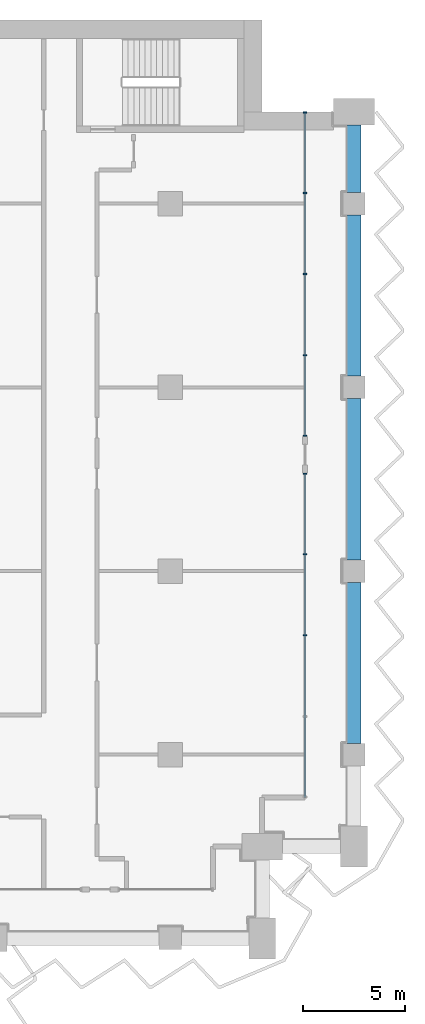
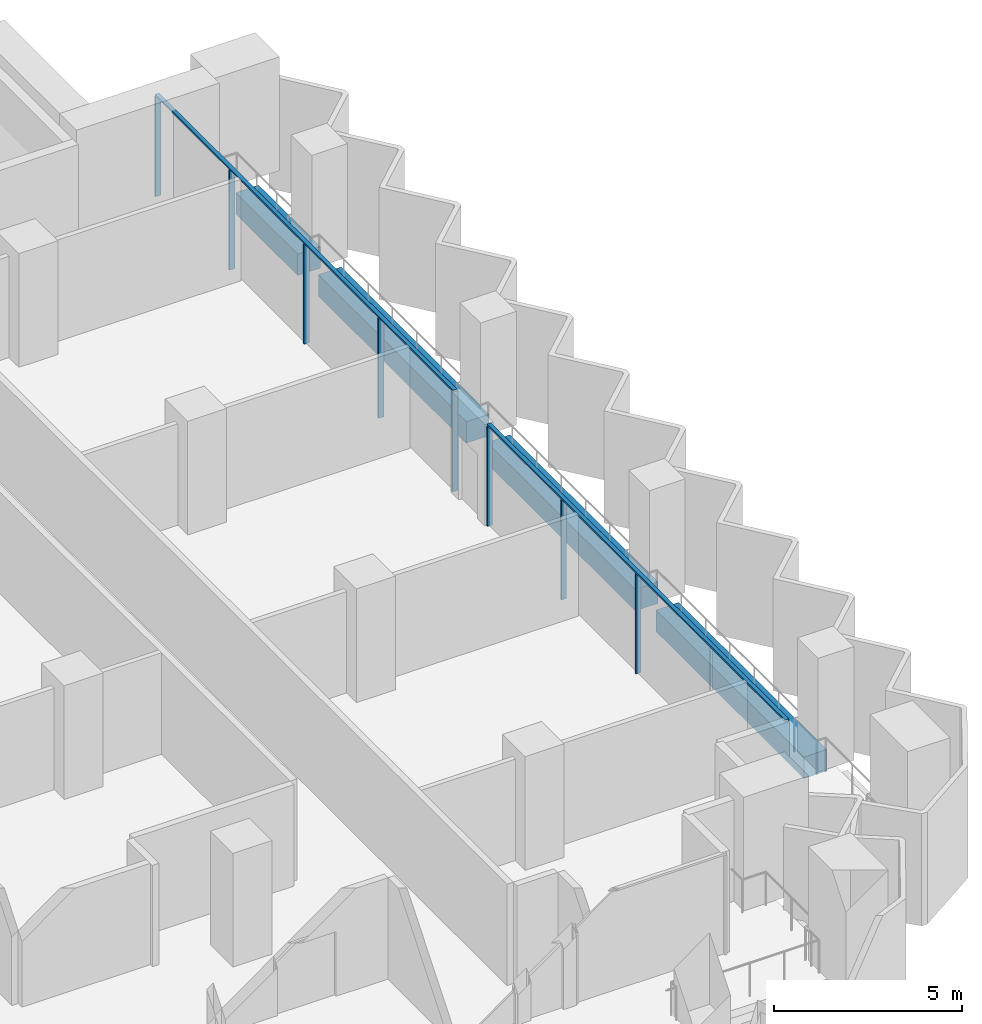
# One storey, part 5 of 22: 10 members, 4 beams, 2 elements without a shape of their own.
"""IFC4 building model written with IfcOpenShell, lengths in metres."""

from ifc_helpers import new_model, si_unit, direction, frame, origin, origin_2d, place, context, subcontext, project, spatial, rectangle, extrude, material, material_profile, profile_set, type_object, element, aggregate, save


model = new_model("IFC4")

# Units and contexts
model_context = context("Model", 3, precision=1e-05, world=origin(), true_north=direction((0.0, 1.0)))
body_context = subcontext(model_context, "Body", "Model", "MODEL_VIEW")
ifc_project = project(units=[si_unit("LENGTHUNIT", "METRE"), si_unit("AREAUNIT", "SQUARE_METRE"), si_unit("VOLUMEUNIT", "CUBIC_METRE"), si_unit("PLANEANGLEUNIT", "RADIAN"), si_unit("MASSUNIT", "GRAM", prefix="KILO")], contexts=[model_context])

# Site, building, storey
site_placement = place(None, origin())
site = spatial("IfcSite", under=ifc_project, at=site_placement, CompositionType="ELEMENT")
building_placement = place(site_placement, origin())
building = spatial("IfcBuilding", under=site, at=building_placement, Name="Hunhe Ridgeline Campus", CompositionType="ELEMENT")
storey_placement = place(building_placement, frame((0.0, 0.0, 141.199951171875)))
storey = spatial("IfcBuildingStorey", under=building, at=storey_placement, Name="L35", CompositionType="ELEMENT", Elevation=141.199951171875)

# Curtain wall, members
ifc_material_1 = material(Name="Aluminium 6063", Category="aluminium")
curtain_wall_type = type_object("IfcCurtainWallType", Name="Curtain wall CW-1", PredefinedType="NOTDEFINED", material=ifc_material_1)
curtain_wall_1_placement = place(storey_placement, origin())
curtain_wall_1 = element("IfcCurtainWall", 1, at=curtain_wall_1_placement, inside=storey, type_object=curtain_wall_type, Name="Curtain wall 15", PredefinedType="NOTDEFINED")
ifc_material_profile_1 = material_profile(ifc_material_1, rectangle(XDim=0.159912109375, YDim=0.06005859375, at=origin_2d()))
ifc_profile_set_1 = profile_set([ifc_material_profile_1], Name="Aluminium 6063")
member_type_1 = type_object("IfcMemberType", Name="CW-1 aluminium mullion", PredefinedType="MULLION", material=ifc_profile_set_1)
member_1_placement = place(storey_placement, frame((60.59912109375, 68.850830078125, 0.0), z_axis=(0.0, 0.0, 1.0), x_axis=(-1.0, 0.0, 0.0)))
member_1 = element("IfcMember", 2, at=member_1_placement, type_object=member_type_1, Name="CW-1 mullion 3", PredefinedType="MULLION", context=body_context, shape_type="SweptSolid", body=[
    extrude(rectangle(XDim=0.159912109375, YDim=0.06005859375, at=origin_2d()), origin(), (0.0, 0.0, 1.0), 3.239990234375),
])
member_2_placement = place(storey_placement, frame((60.59912109375, 72.82568359375, 0.0), z_axis=(0.0, 0.0, 1.0), x_axis=(-1.0, 0.0, 0.0)))
member_2 = element("IfcMember", 3, at=member_2_placement, type_object=member_type_1, Name="CW-1 mullion 4", PredefinedType="MULLION", context=body_context, shape_type="SweptSolid", body=[
    extrude(rectangle(XDim=0.159912109375, YDim=0.06005859375, at=origin_2d()), origin(), (0.0, 0.0, 1.0), 3.239990234375),
])
member_3_placement = place(storey_placement, frame((60.59912109375, 76.7705078125, 0.0), z_axis=(0.0, 0.0, 1.0), x_axis=(-1.0, 0.0, 0.0)))
member_3 = element("IfcMember", 4, at=member_3_placement, type_object=member_type_1, Name="CW-1 mullion 5", PredefinedType="MULLION", context=body_context, shape_type="SweptSolid", body=[
    extrude(rectangle(XDim=0.159912109375, YDim=0.06005859375, at=origin_2d()), origin(), (0.0, 0.0, 1.0), 3.239990234375),
])

curtain_wall_2_placement = place(storey_placement, origin())
curtain_wall_2 = element("IfcCurtainWall", 5, at=curtain_wall_2_placement, inside=storey, type_object=curtain_wall_type, Name="Curtain wall 16", PredefinedType="NOTDEFINED")
member_4_placement = place(storey_placement, frame((60.59912109375, 78.630615234375, 0.0), z_axis=(0.0, 0.0, 1.0), x_axis=(-1.0, 0.0, 0.0)))
member_4 = element("IfcMember", 6, at=member_4_placement, type_object=member_type_1, Name="CW-1 mullion 1", PredefinedType="MULLION", context=body_context, shape_type="SweptSolid", body=[
    extrude(rectangle(XDim=0.159912109375, YDim=0.06005859375, at=origin_2d()), origin(), (0.0, 0.0, 1.0), 3.239990234375),
])
member_5_placement = place(storey_placement, frame((60.59912109375, 82.575439453125, 0.0), z_axis=(0.0, 0.0, 1.0), x_axis=(-1.0, 0.0, 0.0)))
member_5 = element("IfcMember", 7, at=member_5_placement, type_object=member_type_1, Name="CW-1 mullion 2", PredefinedType="MULLION", context=body_context, shape_type="SweptSolid", body=[
    extrude(rectangle(XDim=0.159912109375, YDim=0.06005859375, at=origin_2d()), origin(), (0.0, 0.0, 1.0), 3.239990234375),
])
member_6_placement = place(storey_placement, frame((60.59912109375, 86.55029296875, 0.0), z_axis=(0.0, 0.0, 1.0), x_axis=(-1.0, 0.0, 0.0)))
member_6 = element("IfcMember", 8, at=member_6_placement, type_object=member_type_1, Name="CW-1 mullion 3", PredefinedType="MULLION", context=body_context, shape_type="SweptSolid", body=[
    extrude(rectangle(XDim=0.159912109375, YDim=0.06005859375, at=origin_2d()), origin(), (0.0, 0.0, 1.0), 3.239990234375),
])
member_7_placement = place(storey_placement, frame((60.59912109375, 90.525146484375, 0.0), z_axis=(0.0, 0.0, 1.0), x_axis=(-1.0, 0.0, 0.0)))
member_7 = element("IfcMember", 9, at=member_7_placement, type_object=member_type_1, Name="CW-1 mullion 4", PredefinedType="MULLION", context=body_context, shape_type="SweptSolid", body=[
    extrude(rectangle(XDim=0.159912109375, YDim=0.06005859375, at=origin_2d()), origin(), (0.0, 0.0, 1.0), 3.239990234375),
])
member_8_placement = place(storey_placement, frame((60.59912109375, 94.469970703125, 0.0), z_axis=(0.0, 0.0, 1.0), x_axis=(-1.0, 0.0, 0.0)))
member_8 = element("IfcMember", 10, at=member_8_placement, type_object=member_type_1, Name="CW-1 mullion 5", PredefinedType="MULLION", context=body_context, shape_type="SweptSolid", body=[
    extrude(rectangle(XDim=0.159912109375, YDim=0.06005859375, at=origin_2d()), origin(), (0.0, 0.0, 1.0), 3.239990234375),
])

# Member
ifc_material_profile_2 = material_profile(ifc_material_1, rectangle(XDim=0.1201171875, YDim=0.06005859375, at=origin_2d()))
ifc_profile_set_2 = profile_set([ifc_material_profile_2], Name="Aluminium 6063")
member_type_2 = type_object("IfcMemberType", Name="CW-1 aluminium transom", PredefinedType="USERDEFINED", material=ifc_profile_set_2)
member_9_placement = place(storey_placement, frame((60.59912109375, 60.90087890625, 3.27001953125), z_axis=(0.0, 1.0, 0.0), x_axis=(-1.0, 0.0, 0.0)))
member_9 = element("IfcMember", 11, at=member_9_placement, type_object=member_type_2, Name="CW-1 transom 1", ObjectType="TRANSOM", PredefinedType="USERDEFINED", context=body_context, shape_type="SweptSolid", body=[
    extrude(rectangle(XDim=0.1201171875, YDim=0.06005859375, at=origin_2d()), origin(), (0.0, 0.0, 1.0), 15.899658203125),
])

aggregate(curtain_wall_1, [member_9, member_1, member_2, member_3])

member_10_placement = place(storey_placement, frame((60.59912109375, 78.6005859375, 3.27001953125), z_axis=(0.0, 1.0, 0.0), x_axis=(-1.0, 0.0, 0.0)))
member_10 = element("IfcMember", 12, at=member_10_placement, type_object=member_type_2, Name="CW-1 transom 1", ObjectType="TRANSOM", PredefinedType="USERDEFINED", context=body_context, shape_type="SweptSolid", body=[
    extrude(rectangle(XDim=0.1201171875, YDim=0.06005859375, at=origin_2d()), origin(), (0.0, 0.0, 1.0), 15.8994140625),
])

aggregate(curtain_wall_2, [member_10, member_4, member_5, member_6, member_7, member_8])

# Beams
ifc_material_2 = material(Name="Concrete C60", Category="concrete")
ifc_material_profile_3 = material_profile(ifc_material_2, rectangle(XDim=0.699951171875, YDim=0.699951171875, at=origin_2d()))
ifc_profile_set_3 = profile_set([ifc_material_profile_3], Name="Concrete C60")
beam_type = type_object("IfcBeamType", Name="RC spandrel beam 700x700 Concrete C60", PredefinedType="SPANDREL", material=ifc_profile_set_3)
for number, where, z_axis, x_axis, name in (
    (13, (63.0, 63.550048828125, -0.599853515625), (0.0, 1.0, 0.0), (-1.0, 0.0, 0.0), "Spandrel beam B2-17 L35"),
    (14, (63.0, 72.550048828125, -0.599853515625), (0.0, 1.0, 0.0), (-1.0, 0.0, 0.0), "Spandrel beam B2-18 L35"),
    (15, (63.0, 81.550048828125, -0.599853515625), (0.0, 1.0, 0.0), (-1.0, 0.0, 0.0), "Spandrel beam B2-19 L35"),
):
    element("IfcBeam", number, at=place(storey_placement, frame(where, z_axis=z_axis, x_axis=x_axis)), inside=storey, type_object=beam_type, Name=name, PredefinedType="SPANDREL", context=body_context, shape_type="SweptSolid", body=[
        extrude(rectangle(XDim=0.699951171875, YDim=0.699951171875, at=origin_2d()), origin(), (0.0, 0.0, 1.0), 7.89990234375),
    ])
beam_placement = place(storey_placement, frame((63.0, 90.550048828125, -0.599853515625), z_axis=(0.0, 1.0, 0.0), x_axis=(-1.0, 0.0, 0.0)))
element("IfcBeam", 16, at=beam_placement, inside=storey, type_object=beam_type, Name="Spandrel beam B2-20 L35", PredefinedType="SPANDREL", context=body_context, shape_type="SweptSolid", body=[
    extrude(rectangle(XDim=0.699951171875, YDim=0.699951171875, at=origin_2d()), origin(), (0.0, 0.0, 1.0), 3.300048828125),
])

save(model, "model.ifc")
